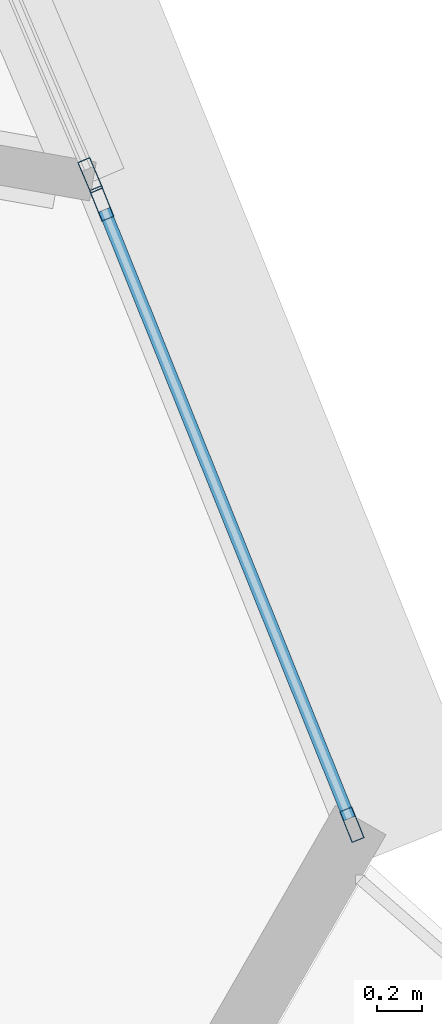
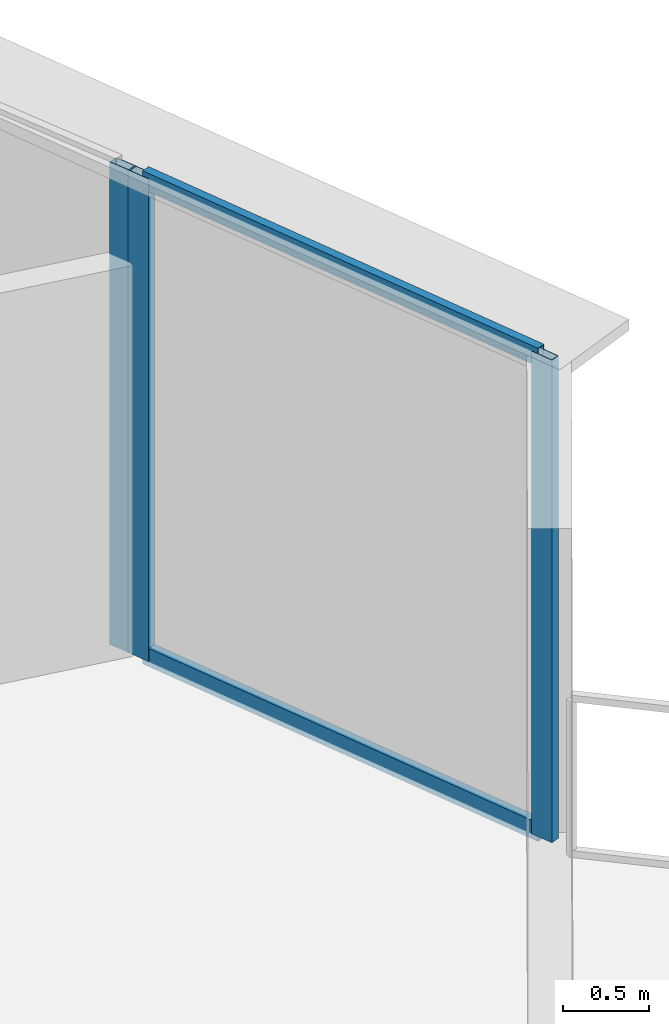
# One storey, part 24 of 39: 5 members, 2 elements without a shape of their own.
"""IFC4 building model written with IfcOpenShell, lengths in metres."""

from ifc_helpers import new_model, si_unit, direction, frame, origin, origin_2d, place, context, subcontext, project, spatial, hollow_rectangle, extrude, source, transform, mapped, material, layer, layer_set, material_profile, profile_set, type_object, element, aggregate, save


model = new_model("IFC4")

# Units and contexts
model_context = context("Model", 3, precision=1e-05, world=origin(), true_north=direction((0.0, 1.0)))
body_context = subcontext(model_context, "Body", "Model", "MODEL_VIEW")
ifc_project = project(units=[si_unit("LENGTHUNIT", "METRE"), si_unit("AREAUNIT", "SQUARE_METRE"), si_unit("VOLUMEUNIT", "CUBIC_METRE"), si_unit("PLANEANGLEUNIT", "RADIAN"), si_unit("MASSUNIT", "GRAM", prefix="KILO"), si_unit("THERMODYNAMICTEMPERATUREUNIT", "KELVIN"), si_unit("POWERUNIT", "WATT")], contexts=[model_context])

# Site, building, storey
site_placement = place(None, origin())
site = spatial("IfcSite", under=ifc_project, at=site_placement, CompositionType="ELEMENT")
building_placement = place(site_placement, origin())
building = spatial("IfcBuilding", under=site, at=building_placement, Name="Yunzhuo Pagoda Commons", CompositionType="ELEMENT")
storey_placement = place(building_placement, frame((0.0, 0.0, 148.22998046875)))
storey = spatial("IfcBuildingStorey", under=building, at=storey_placement, Name="L37", CompositionType="ELEMENT", Elevation=148.22998046875)

# Curtain wall, members
ifc_material = material(Name="Anodized aluminium 6063-T6", Category="aluminium")
ifc_layer = layer(ifc_material, 0.14990234375)
ifc_layer_set = layer_set([ifc_layer], Name="Anodized aluminium 6063-T6")
curtain_wall_type = type_object("IfcCurtainWallType", Name="CW-MID Mid-Zone Ribbon Curtain Wall", PredefinedType="NOTDEFINED", material=ifc_layer_set)
curtain_wall_1_placement = place(storey_placement, origin())
curtain_wall_1 = element("IfcCurtainWall", 1, at=curtain_wall_1_placement, inside=storey, type_object=curtain_wall_type, Name="L37 curtain wall CW-L37-F2B1", PredefinedType="NOTDEFINED")
ifc_material_profile_1 = material_profile(ifc_material, hollow_rectangle(XDim=0.054931640625, YDim=0.1298828125, WallThickness=0.00341796875, at=origin_2d()), Name="Anodized aluminium 6063-T6")
ifc_profile_set_1 = profile_set([ifc_material_profile_1], Name="Anodized aluminium 6063-T6")
member_type_1 = type_object("IfcMemberType", Name="CW-MID-T Transom RHS 130x55x3.5", PredefinedType="USERDEFINED", material=ifc_profile_set_1)
shared_shape_1 = source(origin(), body_context, "Body", "SweptSolid", [
    extrude(hollow_rectangle(XDim=0.054931640625, YDim=0.1298828125, WallThickness=0.00341796875, at=origin_2d()), origin(), (0.0, 0.0, 1.0), 2.91455078125),
])
member_1_placement = place(storey_placement, frame((87.848388671875, 24.045654296875, 0.027587890625), z_axis=(-0.373512741119, 0.927625049372, 0.0), x_axis=(-0.927625049372, -0.373512741119, 0.0)))
member_1 = element("IfcMember", 2, at=member_1_placement, type_object=member_type_1, Name="CW transom 1.1", ObjectType="TRANSOM", PredefinedType="USERDEFINED", context=body_context, shape_type="MappedRepresentation", body=[
    mapped(shared_shape_1, transform((0.0, 0.0, 0.0), scale=1.0)),
])
member_2_placement = place(storey_placement, frame((87.848388671875, 24.045654296875, 3.392578125), z_axis=(-0.373512741119, 0.927625049372, 0.0), x_axis=(-0.927625049372, -0.373512741119, 0.0)))
member_2 = element("IfcMember", 3, at=member_2_placement, type_object=member_type_1, Name="CW transom 1.2", ObjectType="TRANSOM", PredefinedType="USERDEFINED", context=body_context, shape_type="MappedRepresentation", body=[
    mapped(shared_shape_1, transform((0.0, 0.0, 0.0), scale=1.0)),
])

# Curtain wall, member
curtain_wall_2_placement = place(storey_placement, origin())
curtain_wall_2 = element("IfcCurtainWall", 4, at=curtain_wall_2_placement, inside=storey, type_object=curtain_wall_type, Name="L37 curtain wall CW-L37-F2B2", PredefinedType="NOTDEFINED")
ifc_material_profile_2 = material_profile(ifc_material, hollow_rectangle(XDim=0.06005859375, YDim=0.14990234375, WallThickness=0.00390625, at=origin_2d()), Name="Anodized aluminium 6063-T6")
ifc_profile_set_2 = profile_set([ifc_material_profile_2], Name="Anodized aluminium 6063-T6")
member_type_2 = type_object("IfcMemberType", Name="CW-MID-M Mullion RHS 150x60x4", PredefinedType="MULLION", material=ifc_profile_set_2)
shared_shape_2 = source(origin(), body_context, "Body", "SweptSolid", [
    extrude(hollow_rectangle(XDim=0.06005859375, YDim=0.14990234375, WallThickness=0.00390625, at=origin_2d()), origin(), (0.0, 0.0, 1.0), 3.419677734375),
])
member_3_placement = place(storey_placement, frame((86.697265625, 26.902099609375, 0.000244140625), z_axis=(0.0, 0.0, 1.0), x_axis=(-0.920072228059, -0.391748765351, 0.0)))
member_3 = element("IfcMember", 5, at=member_3_placement, type_object=member_type_2, Name="CW mullion 1", PredefinedType="MULLION", context=body_context, shape_type="MappedRepresentation", body=[
    mapped(shared_shape_2, transform((0.0, 0.0, 0.0), scale=1.0)),
])
aggregate(curtain_wall_2, [member_3])

# Member
member_4_placement = place(storey_placement, frame((87.859619140625, 24.017822265625, 0.000244140625), z_axis=(0.0, 0.0, 1.0), x_axis=(-0.927583162846, -0.373616750166, 0.0)))
member_4 = element("IfcMember", 6, at=member_4_placement, type_object=member_type_2, Name="CW mullion 1", PredefinedType="MULLION", context=body_context, shape_type="MappedRepresentation", body=[
    mapped(shared_shape_2, transform((0.0, 0.0, 0.0), scale=1.0)),
])

member_5_placement = place(storey_placement, frame((86.748291015625, 26.777099609375, 0.000244140625), z_axis=(0.0, 0.0, 1.0), x_axis=(-0.927583162846, -0.373616750166, 0.0)))
member_5 = element("IfcMember", 7, at=member_5_placement, type_object=member_type_2, Name="CW mullion 2", PredefinedType="MULLION", context=body_context, shape_type="MappedRepresentation", body=[
    mapped(shared_shape_2, transform((0.0, 0.0, 0.0), scale=1.0)),
])

aggregate(curtain_wall_1, [member_4, member_5, member_1, member_2])

save(model, "model.ifc")
